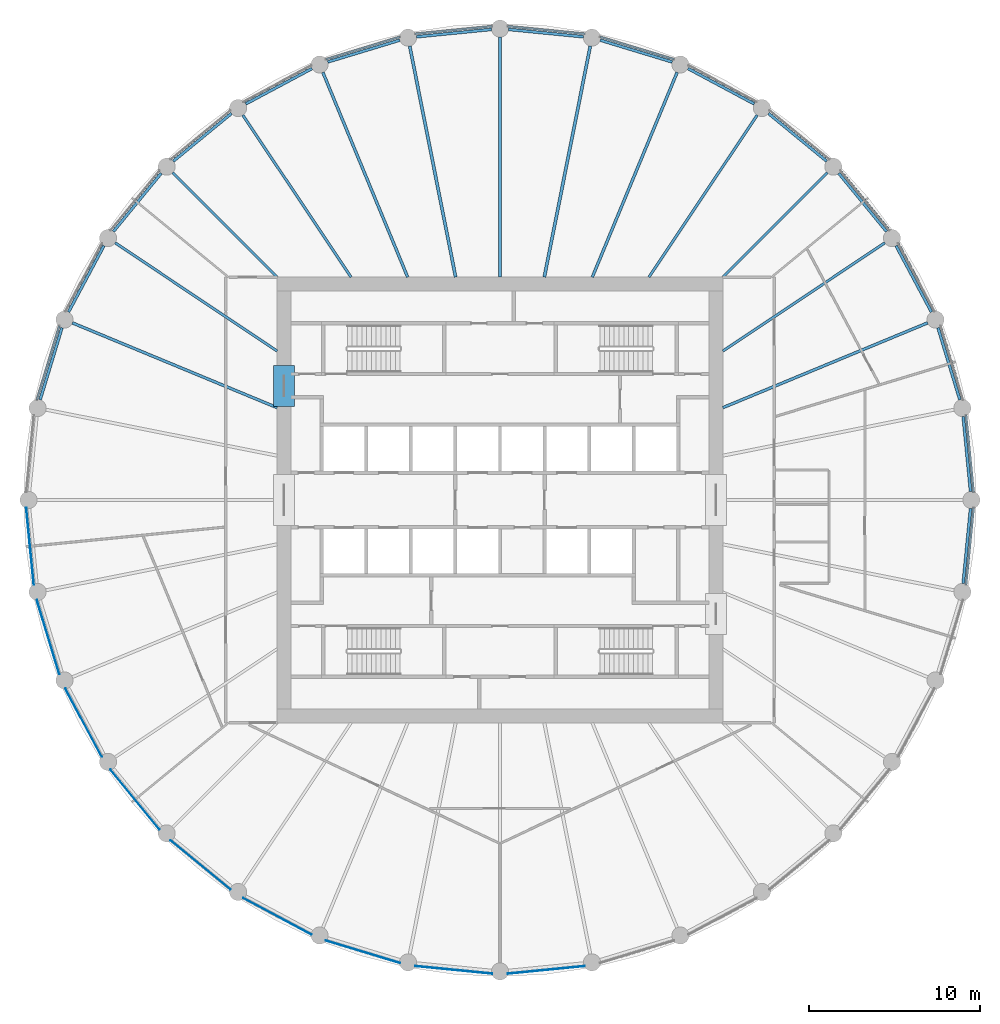
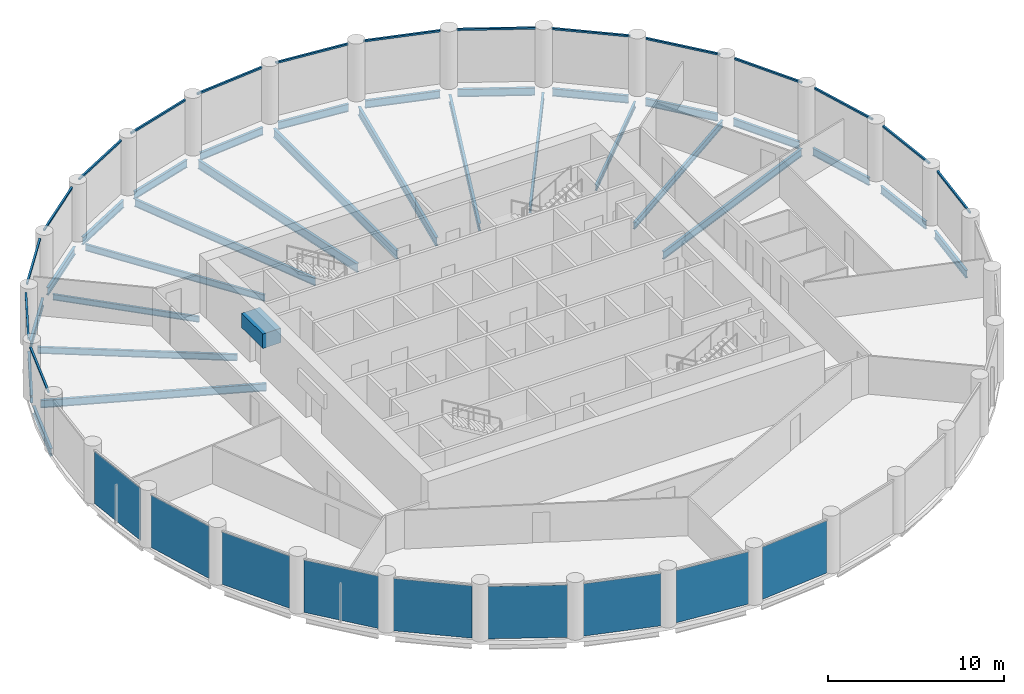
# One storey, part 2 of 8: 30 beams, 16 members, 9 plates, 25 elements without a shape of their own.
"""IFC4 building model written with IfcOpenShell, lengths in metres."""

import ifcopenshell
import ifcopenshell.guid

model = None  # the IFC model being written
_history = None  # IfcOwnerHistory: only IFC2X3 demands one
_inside = {}  # id of a spatial element -> (the spatial element, [elements in it])
_under = {}  # id of a project, library or spatial element -> (it, [spatial elements below it])
_declared = {}  # id of a project -> (the project, [libraries it declares])
_typed = {}  # id of a type object -> (the type object, [elements of that type])
_made_of = {}  # id of a material, layer set ... -> (it, [elements and type objects made of it])


def new_model(schema):
    """Start an empty IFC model of exactly this schema.

    Asked for "IFC4X3", IfcOpenShell would pick the latest addendum, in which some entities
    have other attributes; the version numbers below select the first issue.
    IFC2X3 requires an IfcOwnerHistory on every rooted entity: one is made here for all.
    """
    global model, _history
    if schema == "IFC4X3":
        model = ifcopenshell.file(schema_version=(4, 3, 0, 0))
    else:
        model = ifcopenshell.file(schema=schema)
    _inside.clear()
    _under.clear()
    _declared.clear()
    _typed.clear()
    _made_of.clear()
    _history = None
    if model.schema == "IFC2X3":
        org = make("IfcOrganization", Name="unknown")
        user = make(
            "IfcPersonAndOrganization",
            ThePerson=make("IfcPerson", FamilyName="unknown"),
            TheOrganization=org,
        )
        app = make(
            "IfcApplication",
            ApplicationDeveloper=org,
            Version="unknown",
            ApplicationFullName="unknown",
            ApplicationIdentifier="unknown",
        )
        _history = make(
            "IfcOwnerHistory",
            OwningUser=user,
            OwningApplication=app,
            ChangeAction="ADDED",
            CreationDate=0,
        )
    return model


def make(cls, **values):
    """One entity of the class cls with the attributes given. An attribute that is None is left unset."""
    return model.create_entity(
        cls, **{name: value for name, value in values.items() if value is not None}
    )


def rooted(cls, **values):
    """An entity with a GlobalId (a new one), such as an element, a storey or a relation."""
    return make(cls, GlobalId=ifcopenshell.guid.new(), OwnerHistory=_history, **values)


def si_unit(unit_type, name, prefix=None):
    """IfcSIUnit, for example si_unit("LENGTHUNIT", "METRE", prefix="MILLI")."""
    return make("IfcSIUnit", UnitType=unit_type, Prefix=prefix, Name=name)


def assignment(units):
    """IfcUnitAssignment: the units of a project."""
    return None if units is None else make("IfcUnitAssignment", Units=units)


def point(xyz):
    """IfcCartesianPoint."""
    return None if xyz is None else make("IfcCartesianPoint", Coordinates=xyz)


def direction(xyz):
    """IfcDirection."""
    return None if xyz is None else make("IfcDirection", DirectionRatios=xyz)


def frame(location, z_axis=None, x_axis=None):
    """IfcAxis2Placement3D, a coordinate frame: its origin and axes. An axis left out is left unset."""
    return make(
        "IfcAxis2Placement3D",
        Location=point(location),
        Axis=direction(z_axis),
        RefDirection=direction(x_axis),
    )


def frame_2d(location, x_axis=None):
    """IfcAxis2Placement2D, a coordinate frame in the plane: its origin and x axis."""
    return make(
        "IfcAxis2Placement2D", Location=point(location), RefDirection=direction(x_axis)
    )


def origin():
    """The frame at (0, 0, 0) with its axes left unset."""
    return frame((0.0, 0.0, 0.0))


def origin_2d():
    """The frame at (0, 0) in the plane with its x axis left unset."""
    return frame_2d((0.0, 0.0))


def place(relative_to, where):
    """IfcLocalPlacement: puts the frame where relative to a parent placement (None: the world)."""
    return make(
        "IfcLocalPlacement", PlacementRelTo=relative_to, RelativePlacement=where
    )


def context(
    kind, dimensions, precision=None, world=None, true_north=None, identifier=None
):
    """IfcGeometricRepresentationContext, for example the 3D "Model" context."""
    return make(
        "IfcGeometricRepresentationContext",
        ContextIdentifier=identifier,
        ContextType=kind,
        CoordinateSpaceDimension=dimensions,
        Precision=precision,
        WorldCoordinateSystem=world,
        TrueNorth=true_north,
    )


def subcontext(parent, identifier, kind, view, scale=None):
    """IfcGeometricRepresentationSubContext, for example "Body" below "Model"."""
    return make(
        "IfcGeometricRepresentationSubContext",
        ContextIdentifier=identifier,
        ContextType=kind,
        ParentContext=parent,
        TargetScale=scale,
        TargetView=view,
    )


def project(units=None, contexts=None):
    """IfcProject with its units and contexts."""
    return rooted(
        "IfcProject",
        Name="project",
        RepresentationContexts=contexts,
        UnitsInContext=assignment(units),
    )


def spatial(cls, under=None, at=None, **own):
    """A site, building, storey or space (cls), placed at a placement, below another one or the project."""
    s = rooted(cls, ObjectPlacement=at, **own)
    if under is not None:
        _under.setdefault(under.id(), (under, []))[1].append(s)
    return s


def profile(cls, at=None, kind="AREA", **sizes):
    """A parametric profile (cls). Its sizes go by their IFC names, for example OverallWidth=200.0."""
    return make(cls, ProfileType=kind, Position=at, **sizes)


def rectangle(**sizes):
    """IfcRectangleProfileDef."""
    return profile("IfcRectangleProfileDef", **sizes)


def i_section(**sizes):
    """IfcIShapeProfileDef."""
    return profile("IfcIShapeProfileDef", **sizes)


def extrude(swept, where, along, depth):
    """IfcExtrudedAreaSolid: the profile swept, set in the frame where, extruded along a direction by depth."""
    return make(
        "IfcExtrudedAreaSolid",
        SweptArea=swept,
        Position=where,
        ExtrudedDirection=direction(along),
        Depth=depth,
    )


def shape(context_of_items, identifier, shape_type, items):
    """IfcShapeRepresentation: the items that make up one representation, for example the "Body"."""
    return make(
        "IfcShapeRepresentation",
        ContextOfItems=context_of_items,
        RepresentationIdentifier=identifier,
        RepresentationType=shape_type,
        Items=items,
    )


def material(Name=None, Category=None):
    """IfcMaterial."""
    return make("IfcMaterial", Name=Name, Category=Category)


def layer(
    of_material, thickness, ventilated=None, Name=None, Category=None, Priority=None
):
    """IfcMaterialLayer: one layer of a wall or slab, of a material (None: an air gap)."""
    return make(
        "IfcMaterialLayer",
        Material=of_material,
        LayerThickness=thickness,
        IsVentilated=ventilated,
        Name=Name,
        Category=Category,
        Priority=Priority,
    )


def layer_set(layers, Name=None):
    """IfcMaterialLayerSet."""
    return make("IfcMaterialLayerSet", MaterialLayers=layers, LayerSetName=Name)


def material_profile(
    of_material, cross_section, Name=None, Category=None, Priority=None
):
    """IfcMaterialProfile: a cross section and its material."""
    return make(
        "IfcMaterialProfile",
        Name=Name,
        Material=of_material,
        Profile=cross_section,
        Priority=Priority,
        Category=Category,
    )


def profile_set(profiles, Name=None, composite=None):
    """IfcMaterialProfileSet."""
    return make(
        "IfcMaterialProfileSet",
        Name=Name,
        MaterialProfiles=profiles,
        CompositeProfile=composite,
    )


def made_of(thing, what):
    """Note that an element or type object is made of a material, layer set ...; save() writes the relation."""
    if what is not None:
        _made_of.setdefault(what.id(), (what, []))[1].append(thing)
    return thing


def type_object(cls, material=None, **own):
    """A type object (cls), such as IfcWallType, which elements share."""
    return made_of(rooted(cls, **own), material)


def element(
    cls,
    number,
    at=None,
    inside=None,
    cuts=None,
    type_object=None,
    material=None,
    context=None,
    identifier="Body",
    shape_type=None,
    held_by="IfcProductDefinitionShape",
    body=None,
    shapes=None,
    **own,
):
    """One element of the class cls, such as IfcWall. Its Tag is "e" and its number.

    at: its placement. inside: the storey or other place that contains it. cuts: it is an
    opening in that element (IfcRelVoidsElement). A single representation is given by context,
    identifier, shape_type and body (its items); several are given by shapes. held_by: the class
    of the entity that holds the representations. save() writes the other relations.
    """
    e = rooted(cls, Tag="e%d" % number, ObjectPlacement=at, **own)
    if body is not None:
        shapes = [shape(context, identifier, shape_type, body)]
    if shapes is not None:
        e.Representation = make(held_by, Representations=shapes)
    if inside is not None:
        _inside.setdefault(inside.id(), (inside, []))[1].append(e)
    if cuts is not None:
        rooted(
            "IfcRelVoidsElement", RelatingBuildingElement=cuts, RelatedOpeningElement=e
        )
    if type_object is not None:
        _typed.setdefault(type_object.id(), (type_object, []))[1].append(e)
    return made_of(e, material)


def aggregate(whole, parts):
    """IfcRelAggregates: a whole, such as a stair, and the parts it consists of."""
    return rooted("IfcRelAggregates", RelatingObject=whole, RelatedObjects=parts)


def save(model, path):
    """Write the relations noted so far, then the file.

    IfcRelAggregates (storeys below a building ...), IfcRelContainedInSpatialStructure (elements
    in a storey), IfcRelDefinesByType, IfcRelAssociatesMaterial and IfcRelDeclares: one each for
    every whole, place, type object, material and project.
    """
    for whole, parts in _under.values():
        aggregate(whole, parts)
    for where, things in _inside.values():
        rooted(
            "IfcRelContainedInSpatialStructure",
            RelatedElements=things,
            RelatingStructure=where,
        )
    for kind, things in _typed.values():
        rooted("IfcRelDefinesByType", RelatedObjects=things, RelatingType=kind)
    for what, things in _made_of.values():
        rooted("IfcRelAssociatesMaterial", RelatedObjects=things, RelatingMaterial=what)
    for by, libraries in _declared.values():
        rooted("IfcRelDeclares", RelatingContext=by, RelatedDefinitions=libraries)
    model.write(path)


model = new_model("IFC4")

# Units and contexts
model_context = context("Model", 3, precision=1e-05, world=origin(), true_north=direction((0.0, 1.0)))
body_context = subcontext(model_context, "Body", "Model", "MODEL_VIEW")
ifc_project = project(units=[si_unit("LENGTHUNIT", "METRE"), si_unit("AREAUNIT", "SQUARE_METRE"), si_unit("VOLUMEUNIT", "CUBIC_METRE"), si_unit("PLANEANGLEUNIT", "RADIAN"), si_unit("MASSUNIT", "GRAM", prefix="KILO")], contexts=[model_context])

# Site, building, storey
site_placement = place(None, origin())
site = spatial("IfcSite", under=ifc_project, at=site_placement, CompositionType="ELEMENT")
building_placement = place(site_placement, origin())
building = spatial("IfcBuilding", under=site, at=building_placement, Name="Corvane Civic Tower", CompositionType="ELEMENT")
storey_placement = place(building_placement, frame((0.0, 0.0, 253.5)))
storey = spatial("IfcBuildingStorey", under=building, at=storey_placement, Name="L60", CompositionType="ELEMENT", Elevation=253.5)

# Beams
ifc_material_1 = material(Name="Concrete C50/60", Category="concrete")
ifc_material_profile_1 = material_profile(ifc_material_1, rectangle(XDim=1.199951171875, YDim=1.0, at=origin_2d()), Name="COUPLING BEAM 1200X1000")
ifc_profile_set_1 = profile_set([ifc_material_profile_1], Name="Concrete C50/60")
beam_type_1 = type_object("IfcBeamType", Name="COUPLING BEAM COUPLING BEAM 1200X1000", PredefinedType="BEAM", material=ifc_profile_set_1)
beam_1_placement = place(storey_placement, frame((-12.60009765625, 5.449951171875, 2.60009765625), z_axis=(0.0, 1.0, 0.0), x_axis=(-1.0, 0.0, 0.0)))
element("IfcBeam", 1, at=beam_1_placement, inside=storey, type_object=beam_type_1, Name="BM-L60-cpl-CW-WN", PredefinedType="BEAM", context=body_context, shape_type="SweptSolid", body=[
    extrude(rectangle(XDim=1.199951171875, YDim=1.0, at=origin_2d()), origin(), (0.0, 0.0, 1.0), 2.400146484375),
])
ifc_material_2 = material(Name="Steel ASTM A992 Gr 50", Category="steel")
ifc_material_profile_2 = material_profile(ifc_material_2, i_section(OverallWidth=0.165771484375, OverallDepth=0.5283203125, WebThickness=0.009765625, FlangeThickness=0.013671875, at=origin_2d()), Name="W21X50")
ifc_profile_set_2 = profile_set([ifc_material_profile_2], Name="Steel ASTM A992 Gr 50")
beam_type_2 = type_object("IfcBeamType", Name="EDGE BEAM W21X50", PredefinedType="BEAM", material=ifc_profile_set_2)
beam_2_placement = place(storey_placement, frame((0.49755859375, 27.450927734375, -0.564208984375), z_axis=(0.995189593769, -0.097967711281, 0.0), x_axis=(0.097967711281, 0.995189593769, 0.0)))
element("IfcBeam", 2, at=beam_2_placement, inside=storey, type_object=beam_type_2, Name="BM-L60-E01", PredefinedType="BEAM", context=body_context, shape_type="SweptSolid", body=[
    extrude(i_section(OverallWidth=0.165771484375, OverallDepth=0.5283203125, WebThickness=0.009765625, FlangeThickness=0.013671875, at=origin_2d()), origin(), (0.0, 0.0, 1.0), 4.39111328125),
])
beam_3_placement = place(storey_placement, frame((5.843505859375, 26.826416015625, -0.564208984375), z_axis=(0.956949547653, -0.290254307888, 0.0), x_axis=(0.290254307888, 0.956949547653, 0.0)))
element("IfcBeam", 3, at=beam_3_placement, inside=storey, type_object=beam_type_2, Name="BM-L60-E02", PredefinedType="BEAM", context=body_context, shape_type="SweptSolid", body=[
    extrude(i_section(OverallWidth=0.165771484375, OverallDepth=0.5283203125, WebThickness=0.009765625, FlangeThickness=0.013671875, at=origin_2d()), origin(), (0.0, 0.0, 1.0), 4.390625),
])
for number, where, z_axis, x_axis, name in (
    (4, (10.964599609375, 25.171142578125, -0.564208984375), (0.881907756852, -0.471422006704, 0.0), (0.471422006704, 0.881907756852, 0.0), "BM-L60-E03"),
    (5, (15.66455078125, 22.54833984375, -0.564208984375), (0.773030026524, -0.634369433447, 0.0), (0.634369433447, 0.773030026524, 0.0), "BM-L60-E04"),
    (6, (19.7626953125, 19.05908203125, -0.564208984375), (0.634369433447, -0.773030026524, 0.0), (0.773030026524, 0.634369433447, 0.0), "BM-L60-E05"),
    (7, (23.10107421875, 14.837158203125, -0.564208984375), (0.471422006704, -0.881907756852, 0.0), (0.881907756852, 0.471422006704, 0.0), "BM-L60-E06"),
):
    element("IfcBeam", number, at=place(storey_placement, frame(where, z_axis=z_axis, x_axis=x_axis)), inside=storey, type_object=beam_type_2, Name=name, PredefinedType="BEAM", context=body_context, shape_type="SweptSolid", body=[
        extrude(i_section(OverallWidth=0.165771484375, OverallDepth=0.5283203125, WebThickness=0.009765625, FlangeThickness=0.013671875, at=origin_2d()), origin(), (0.0, 0.0, 1.0), 4.39111328125),
    ])
beam_4_placement = place(storey_placement, frame((25.552001953125, 10.045166015625, -0.564208984375), z_axis=(0.290254307888, -0.956949547653, 0.0), x_axis=(0.956949547653, 0.290254307888, 0.0)))
element("IfcBeam", 8, at=beam_4_placement, inside=storey, type_object=beam_type_2, Name="BM-L60-E07", PredefinedType="BEAM", context=body_context, shape_type="SweptSolid", body=[
    extrude(i_section(OverallWidth=0.165771484375, OverallDepth=0.5283203125, WebThickness=0.009765625, FlangeThickness=0.013671875, at=origin_2d()), origin(), (0.0, 0.0, 1.0), 4.390625),
])
for number, where, z_axis, x_axis, name in (
    (9, (27.020751953125, 4.867431640625, -0.564208984375), (0.097967711281, -0.995189593769, 0.0), (0.995189593769, 0.097967711281, 0.0), "BM-L60-E08"),
    (10, (27.450927734375, -0.49755859375, -0.564208984375), (-0.097967711281, -0.995189593769, 0.0), (0.995189593769, -0.097967711281, 0.0), "BM-L60-E09"),
):
    element("IfcBeam", number, at=place(storey_placement, frame(where, z_axis=z_axis, x_axis=x_axis)), inside=storey, type_object=beam_type_2, Name=name, PredefinedType="BEAM", context=body_context, shape_type="SweptSolid", body=[
        extrude(i_section(OverallWidth=0.165771484375, OverallDepth=0.5283203125, WebThickness=0.009765625, FlangeThickness=0.013671875, at=origin_2d()), origin(), (0.0, 0.0, 1.0), 4.39111328125),
    ])
beam_5_placement = place(storey_placement, frame((-26.826416015625, 5.843505859375, -0.564208984375), z_axis=(0.290254307888, 0.956949547653, 0.0), x_axis=(-0.956949547653, 0.290254307888, 0.0)))
element("IfcBeam", 11, at=beam_5_placement, inside=storey, type_object=beam_type_2, Name="BM-L60-E26", PredefinedType="BEAM", context=body_context, shape_type="SweptSolid", body=[
    extrude(i_section(OverallWidth=0.165771484375, OverallDepth=0.5283203125, WebThickness=0.009765625, FlangeThickness=0.013671875, at=origin_2d()), origin(), (0.0, 0.0, 1.0), 4.390625),
])
for number, where, z_axis, x_axis, name in (
    (12, (-25.171142578125, 10.964599609375, -0.564208984375), (0.471422006704, 0.881907756852, 0.0), (-0.881907756852, 0.471422006704, 0.0), "BM-L60-E27"),
    (13, (-22.54833984375, 15.66455078125, -0.564208984375), (0.634369433447, 0.773030026524, 0.0), (-0.773030026524, 0.634369433447, 0.0), "BM-L60-E28"),
    (14, (-19.05908203125, 19.7626953125, -0.564208984375), (0.773030026524, 0.634369433447, 0.0), (-0.634369433447, 0.773030026524, 0.0), "BM-L60-E29"),
    (15, (-14.837158203125, 23.10107421875, -0.564208984375), (0.881907756852, 0.471422006704, 0.0), (-0.471422006704, 0.881907756852, 0.0), "BM-L60-E30"),
):
    element("IfcBeam", number, at=place(storey_placement, frame(where, z_axis=z_axis, x_axis=x_axis)), inside=storey, type_object=beam_type_2, Name=name, PredefinedType="BEAM", context=body_context, shape_type="SweptSolid", body=[
        extrude(i_section(OverallWidth=0.165771484375, OverallDepth=0.5283203125, WebThickness=0.009765625, FlangeThickness=0.013671875, at=origin_2d()), origin(), (0.0, 0.0, 1.0), 4.39111328125),
    ])
beam_6_placement = place(storey_placement, frame((-10.045166015625, 25.552001953125, -0.564208984375), z_axis=(0.956949547653, 0.290254307888, 0.0), x_axis=(-0.290254307888, 0.956949547653, 0.0)))
element("IfcBeam", 16, at=beam_6_placement, inside=storey, type_object=beam_type_2, Name="BM-L60-E31", PredefinedType="BEAM", context=body_context, shape_type="SweptSolid", body=[
    extrude(i_section(OverallWidth=0.165771484375, OverallDepth=0.5283203125, WebThickness=0.009765625, FlangeThickness=0.013671875, at=origin_2d()), origin(), (0.0, 0.0, 1.0), 4.390625),
])
beam_7_placement = place(storey_placement, frame((-4.867431640625, 27.020751953125, -0.564208984375), z_axis=(0.995189593769, 0.097967711281, 0.0), x_axis=(-0.097967711281, 0.995189593769, 0.0)))
element("IfcBeam", 17, at=beam_7_placement, inside=storey, type_object=beam_type_2, Name="BM-L60-E32", PredefinedType="BEAM", context=body_context, shape_type="SweptSolid", body=[
    extrude(i_section(OverallWidth=0.165771484375, OverallDepth=0.5283203125, WebThickness=0.009765625, FlangeThickness=0.013671875, at=origin_2d()), origin(), (0.0, 0.0, 1.0), 4.39111328125),
])
ifc_material_3 = material(Name="Steel ASTM A992 Gr 50", Category="steel")
ifc_material_profile_3 = material_profile(ifc_material_3, i_section(OverallWidth=0.140380859375, OverallDepth=0.40380859375, WebThickness=0.007080078125, FlangeThickness=0.01123046875, at=origin_2d()), Name="W16X31")
ifc_profile_set_3 = profile_set([ifc_material_profile_3], Name="Steel ASTM A992 Gr 50")
beam_type_3 = type_object("IfcBeamType", Name="FLOOR GIRDER W16X31", PredefinedType="BEAM", material=ifc_profile_set_3)
for number, where, z_axis, x_axis, name in (
    (18, (13.0, 13.0, -0.501953125), (0.707106781187, 0.707106781187, 0.0), (-0.707106781187, 0.707106781187, 0.0), "BM-L60-G05"),
    (19, (-13.0, 13.0, -0.501953125), (-0.707106781187, 0.707106781187, 0.0), (-0.707106781187, -0.707106781187, 0.0), "BM-L60-G29"),
):
    element("IfcBeam", number, at=place(storey_placement, frame(where, z_axis=z_axis, x_axis=x_axis)), inside=storey, type_object=beam_type_3, Name=name, PredefinedType="BEAM", context=body_context, shape_type="SweptSolid", body=[
        extrude(i_section(OverallWidth=0.140380859375, OverallDepth=0.40380859375, WebThickness=0.007080078125, FlangeThickness=0.01123046875, at=origin_2d()), origin(), (0.0, 0.0, 1.0), 8.614990234375),
    ])
ifc_material_4 = material(Name="Steel ASTM A992 Gr 50", Category="steel")
ifc_material_profile_4 = material_profile(ifc_material_4, i_section(OverallWidth=0.15283203125, OverallDepth=0.45458984375, WebThickness=0.008056640625, FlangeThickness=0.013427734375, at=origin_2d()), Name="W18X40")
ifc_profile_set_4 = profile_set([ifc_material_profile_4], Name="Steel ASTM A992 Gr 50")
beam_type_4 = type_object("IfcBeamType", Name="FLOOR GIRDER W18X40", PredefinedType="BEAM", material=ifc_profile_set_4)
for number, where, z_axis, x_axis, name in (
    (20, (8.686279296875, 13.0, -0.52734375), (0.555577326485, 0.831464872557, 0.0), (-0.831464872557, 0.555577326485, 0.0), "BM-L60-G04"),
    (21, (13.0, 8.686279296875, -0.52734375), (0.831464872557, 0.555577326485, 0.0), (-0.555577326485, 0.831464872557, 0.0), "BM-L60-G06"),
    (22, (-13.0, 8.686279296875, -0.52734375), (-0.831464872557, 0.555577326485, 0.0), (-0.555577326485, -0.831464872557, 0.0), "BM-L60-G28"),
    (23, (-8.686279296875, 13.0, -0.52734375), (-0.555577326485, 0.831464872557, 0.0), (-0.831464872557, -0.555577326485, 0.0), "BM-L60-G30"),
):
    element("IfcBeam", number, at=place(storey_placement, frame(where, z_axis=z_axis, x_axis=x_axis)), inside=storey, type_object=beam_type_4, Name=name, PredefinedType="BEAM", context=body_context, shape_type="SweptSolid", body=[
        extrude(i_section(OverallWidth=0.15283203125, OverallDepth=0.45458984375, WebThickness=0.008056640625, FlangeThickness=0.013427734375, at=origin_2d()), origin(), (0.0, 0.0, 1.0), 11.365234375),
    ])
ifc_material_5 = material(Name="Steel ASTM A992 Gr 50", Category="steel")
ifc_material_profile_5 = material_profile(ifc_material_5, i_section(OverallWidth=0.165771484375, OverallDepth=0.5283203125, WebThickness=0.009765625, FlangeThickness=0.013671875, at=origin_2d()), Name="W21X50")
ifc_profile_set_5 = profile_set([ifc_material_profile_5], Name="Steel ASTM A992 Gr 50")
beam_type_5 = type_object("IfcBeamType", Name="FLOOR GIRDER W21X50", PredefinedType="BEAM", material=ifc_profile_set_5)
for number, where, z_axis, x_axis, name in (
    (24, (5.384765625, 13.0, -0.564208984375), (0.382686450378, 0.923878282404, 0.0), (-0.923878282404, 0.382686450378, 0.0), "BM-L60-G03"),
    (25, (13.0, 5.384765625, -0.564208984375), (0.923878282404, 0.382686450378, 0.0), (-0.382686450378, 0.923878282404, 0.0), "BM-L60-G07"),
    (26, (-13.0, 5.384765625, -0.564208984375), (-0.923878282404, 0.382686450378, 0.0), (-0.382686450378, -0.923878282404, 0.0), "BM-L60-G27"),
    (27, (-5.384765625, 13.0, -0.564208984375), (-0.382686450378, 0.923878282404, 0.0), (-0.923878282404, -0.382686450378, 0.0), "BM-L60-G31"),
):
    element("IfcBeam", number, at=place(storey_placement, frame(where, z_axis=z_axis, x_axis=x_axis)), inside=storey, type_object=beam_type_5, Name=name, PredefinedType="BEAM", context=body_context, shape_type="SweptSolid", body=[
        extrude(i_section(OverallWidth=0.165771484375, OverallDepth=0.5283203125, WebThickness=0.009765625, FlangeThickness=0.013671875, at=origin_2d()), origin(), (0.0, 0.0, 1.0), 12.928955078125),
    ])
ifc_material_6 = material(Name="Steel ASTM A992 Gr 50", Category="steel")
ifc_material_profile_6 = material_profile(ifc_material_6, i_section(OverallWidth=0.177978515625, OverallDepth=0.599365234375, WebThickness=0.010009765625, FlangeThickness=0.012939453125, at=origin_2d()), Name="W24X55")
ifc_profile_set_6 = profile_set([ifc_material_profile_6], Name="Steel ASTM A992 Gr 50")
beam_type_6 = type_object("IfcBeamType", Name="FLOOR GIRDER W24X55", PredefinedType="BEAM", material=ifc_profile_set_6)
beam_8_placement = place(storey_placement, frame((0.0, 13.0, -0.599609375), z_axis=(0.0, 1.0, 0.0), x_axis=(-1.0, 0.0, 0.0)))
element("IfcBeam", 28, at=beam_8_placement, inside=storey, type_object=beam_type_6, Name="BM-L60-G01", PredefinedType="BEAM", context=body_context, shape_type="SweptSolid", body=[
    extrude(i_section(OverallWidth=0.177978515625, OverallDepth=0.599365234375, WebThickness=0.010009765625, FlangeThickness=0.012939453125, at=origin_2d()), origin(), (0.0, 0.0, 1.0), 14.0),
])
for number, where, z_axis, x_axis, name in (
    (29, (2.5859375, 13.0, -0.599609375), (0.195077644118, 0.980787802109, 0.0), (-0.980787802109, 0.195077644118, 0.0), "BM-L60-G02"),
    (30, (-2.5859375, 13.0, -0.599609375), (-0.195077644118, 0.980787802109, 0.0), (-0.980787802109, -0.195077644118, 0.0), "BM-L60-G32"),
):
    element("IfcBeam", number, at=place(storey_placement, frame(where, z_axis=z_axis, x_axis=x_axis)), inside=storey, type_object=beam_type_6, Name=name, PredefinedType="BEAM", context=body_context, shape_type="SweptSolid", body=[
        extrude(i_section(OverallWidth=0.177978515625, OverallDepth=0.599365234375, WebThickness=0.010009765625, FlangeThickness=0.012939453125, at=origin_2d()), origin(), (0.0, 0.0, 1.0), 13.745361328125),
    ])

# Curtain wall, member
ifc_material_7 = material(Name="Anodised aluminium bronze", Category="aluminium")
curtain_wall_type = type_object("IfcCurtainWallType", Name="TOWER CW-T2 STICK CURTAIN WALL", PredefinedType="NOTDEFINED", material=ifc_material_7)
curtain_wall_1_placement = place(storey_placement, origin())
curtain_wall_1 = element("IfcCurtainWall", 31, at=curtain_wall_1_placement, inside=storey, type_object=curtain_wall_type, Name="Curtain wall CW-T2 L60 bay 01", PredefinedType="NOTDEFINED")
ifc_material_8 = material(Name="Anodised aluminium bronze", Category="aluminium")
ifc_material_profile_7 = material_profile(ifc_material_8, rectangle(XDim=0.1201171875, YDim=0.1201171875, at=origin_2d()), Name="TOWER CW-T2 TRANSOM 120x120")
ifc_profile_set_7 = profile_set([ifc_material_profile_7], Name="Anodised aluminium bronze")
member_type = type_object("IfcMemberType", Name="TOWER CW-T2 TRANSOM 120x120", PredefinedType="USERDEFINED", material=ifc_profile_set_7)
member_1_placement = place(storey_placement, frame((0.452392578125, 27.635498046875, 3.68994140625), z_axis=(0.995182207386, -0.098042715701, 0.0), x_axis=(0.098042715701, 0.995182207386, 0.0)))
member_1 = element("IfcMember", 32, at=member_1_placement, type_object=member_type, Name="Transom CW-T2 L60 01.1", ObjectType="TRANSOM", PredefinedType="USERDEFINED", context=body_context, shape_type="SweptSolid", body=[
    extrude(rectangle(XDim=0.1201171875, YDim=0.1201171875, at=origin_2d()), origin(), (0.0, 0.0, 1.0), 4.51708984375),
])
aggregate(curtain_wall_1, [member_1])

curtain_wall_2_placement = place(storey_placement, origin())
curtain_wall_2 = element("IfcCurtainWall", 33, at=curtain_wall_2_placement, inside=storey, type_object=curtain_wall_type, Name="Curtain wall CW-T2 L60 bay 02", PredefinedType="NOTDEFINED")
member_2_placement = place(storey_placement, frame((5.8349609375, 27.016357421875, 3.68994140625), z_axis=(0.956941182173, -0.2902818869, 0.0), x_axis=(0.2902818869, 0.956941182173, 0.0)))
member_2 = element("IfcMember", 34, at=member_2_placement, type_object=member_type, Name="Transom CW-T2 L60 02.1", ObjectType="TRANSOM", PredefinedType="USERDEFINED", context=body_context, shape_type="SweptSolid", body=[
    extrude(rectangle(XDim=0.1201171875, YDim=0.1201171875, at=origin_2d()), origin(), (0.0, 0.0, 1.0), 4.517333984375),
])
aggregate(curtain_wall_2, [member_2])

curtain_wall_3_placement = place(storey_placement, origin())
curtain_wall_3 = element("IfcCurtainWall", 35, at=curtain_wall_3_placement, inside=storey, type_object=curtain_wall_type, Name="Curtain wall CW-T2 L60 bay 03", PredefinedType="NOTDEFINED")
member_3_placement = place(storey_placement, frame((10.993408203125, 25.35888671875, 3.68994140625), z_axis=(0.881924695689, -0.471390317183, 0.0), x_axis=(0.471390317183, 0.881924695689, 0.0)))
member_3 = element("IfcMember", 36, at=member_3_placement, type_object=member_type, Name="Transom CW-T2 L60 03.1", ObjectType="TRANSOM", PredefinedType="USERDEFINED", context=body_context, shape_type="SweptSolid", body=[
    extrude(rectangle(XDim=0.1201171875, YDim=0.1201171875, at=origin_2d()), origin(), (0.0, 0.0, 1.0), 4.517333984375),
])
aggregate(curtain_wall_3, [member_3])

curtain_wall_4_placement = place(storey_placement, origin())
curtain_wall_4 = element("IfcCurtainWall", 37, at=curtain_wall_4_placement, inside=storey, type_object=curtain_wall_type, Name="Curtain wall CW-T2 L60 bay 04", PredefinedType="NOTDEFINED")
member_4_placement = place(storey_placement, frame((15.7294921875, 22.726806640625, 3.68994140625), z_axis=(0.773014925698, -0.634387834569, 0.0), x_axis=(0.634387834569, 0.773014925698, 0.0)))
member_4 = element("IfcMember", 38, at=member_4_placement, type_object=member_type, Name="Transom CW-T2 L60 04.1", ObjectType="TRANSOM", PredefinedType="USERDEFINED", context=body_context, shape_type="SweptSolid", body=[
    extrude(rectangle(XDim=0.1201171875, YDim=0.1201171875, at=origin_2d()), origin(), (0.0, 0.0, 1.0), 4.517333984375),
])
aggregate(curtain_wall_4, [member_4])

curtain_wall_5_placement = place(storey_placement, origin())
curtain_wall_5 = element("IfcCurtainWall", 39, at=curtain_wall_5_placement, inside=storey, type_object=curtain_wall_type, Name="Curtain wall CW-T2 L60 bay 05", PredefinedType="NOTDEFINED")
member_5_placement = place(storey_placement, frame((19.861083984375, 19.221435546875, 3.68994140625), z_axis=(0.634387834569, -0.773014925698, 0.0), x_axis=(0.773014925698, 0.634387834569, 0.0)))
member_5 = element("IfcMember", 40, at=member_5_placement, type_object=member_type, Name="Transom CW-T2 L60 05.1", ObjectType="TRANSOM", PredefinedType="USERDEFINED", context=body_context, shape_type="SweptSolid", body=[
    extrude(rectangle(XDim=0.1201171875, YDim=0.1201171875, at=origin_2d()), origin(), (0.0, 0.0, 1.0), 4.517333984375),
])
aggregate(curtain_wall_5, [member_5])

curtain_wall_6_placement = place(storey_placement, origin())
curtain_wall_6 = element("IfcCurtainWall", 41, at=curtain_wall_6_placement, inside=storey, type_object=curtain_wall_type, Name="Curtain wall CW-T2 L60 bay 06", PredefinedType="NOTDEFINED")
member_6_placement = place(storey_placement, frame((23.2294921875, 14.977294921875, 3.68994140625), z_axis=(0.471390317183, -0.881924695689, 0.0), x_axis=(0.881924695689, 0.471390317183, 0.0)))
member_6 = element("IfcMember", 42, at=member_6_placement, type_object=member_type, Name="Transom CW-T2 L60 06.1", ObjectType="TRANSOM", PredefinedType="USERDEFINED", context=body_context, shape_type="SweptSolid", body=[
    extrude(rectangle(XDim=0.1201171875, YDim=0.1201171875, at=origin_2d()), origin(), (0.0, 0.0, 1.0), 4.517333984375),
])
aggregate(curtain_wall_6, [member_6])

curtain_wall_7_placement = place(storey_placement, origin())
curtain_wall_7 = element("IfcCurtainWall", 43, at=curtain_wall_7_placement, inside=storey, type_object=curtain_wall_type, Name="Curtain wall CW-T2 L60 bay 07", PredefinedType="NOTDEFINED")
member_7_placement = place(storey_placement, frame((25.705078125, 10.15771484375, 3.68994140625), z_axis=(0.2902818869, -0.956941182173, 0.0), x_axis=(0.956941182173, 0.2902818869, 0.0)))
member_7 = element("IfcMember", 44, at=member_7_placement, type_object=member_type, Name="Transom CW-T2 L60 07.1", ObjectType="TRANSOM", PredefinedType="USERDEFINED", context=body_context, shape_type="SweptSolid", body=[
    extrude(rectangle(XDim=0.1201171875, YDim=0.1201171875, at=origin_2d()), origin(), (0.0, 0.0, 1.0), 4.517333984375),
])
aggregate(curtain_wall_7, [member_7])

curtain_wall_8_placement = place(storey_placement, origin())
curtain_wall_8 = element("IfcCurtainWall", 45, at=curtain_wall_8_placement, inside=storey, type_object=curtain_wall_type, Name="Curtain wall CW-T2 L60 bay 08", PredefinedType="NOTDEFINED")
member_8_placement = place(storey_placement, frame((27.192626953125, 4.94775390625, 3.68994140625), z_axis=(0.098042715701, -0.995182207386, 0.0), x_axis=(0.995182207386, 0.098042715701, 0.0)))
member_8 = element("IfcMember", 46, at=member_8_placement, type_object=member_type, Name="Transom CW-T2 L60 08.1", ObjectType="TRANSOM", PredefinedType="USERDEFINED", context=body_context, shape_type="SweptSolid", body=[
    extrude(rectangle(XDim=0.1201171875, YDim=0.1201171875, at=origin_2d()), origin(), (0.0, 0.0, 1.0), 4.51708984375),
])
aggregate(curtain_wall_8, [member_8])

curtain_wall_9_placement = place(storey_placement, origin())
curtain_wall_9 = element("IfcCurtainWall", 47, at=curtain_wall_9_placement, inside=storey, type_object=curtain_wall_type, Name="Curtain wall CW-T2 L60 bay 09", PredefinedType="NOTDEFINED")
member_9_placement = place(storey_placement, frame((27.635498046875, -0.452392578125, 3.68994140625), z_axis=(-0.098042715701, -0.995182207386, 0.0), x_axis=(0.995182207386, -0.098042715701, 0.0)))
member_9 = element("IfcMember", 48, at=member_9_placement, type_object=member_type, Name="Transom CW-T2 L60 09.1", ObjectType="TRANSOM", PredefinedType="USERDEFINED", context=body_context, shape_type="SweptSolid", body=[
    extrude(rectangle(XDim=0.1201171875, YDim=0.1201171875, at=origin_2d()), origin(), (0.0, 0.0, 1.0), 4.51708984375),
])
aggregate(curtain_wall_9, [member_9])

curtain_wall_10_placement = place(storey_placement, origin())
curtain_wall_10 = element("IfcCurtainWall", 49, at=curtain_wall_10_placement, inside=storey, type_object=curtain_wall_type, Name="Curtain wall CW-T2 L60 bay 26", PredefinedType="NOTDEFINED")
member_10_placement = place(storey_placement, frame((-27.016357421875, 5.8349609375, 3.68994140625), z_axis=(0.2902818869, 0.956941182173, 0.0), x_axis=(-0.956941182173, 0.2902818869, 0.0)))
member_10 = element("IfcMember", 50, at=member_10_placement, type_object=member_type, Name="Transom CW-T2 L60 26.1", ObjectType="TRANSOM", PredefinedType="USERDEFINED", context=body_context, shape_type="SweptSolid", body=[
    extrude(rectangle(XDim=0.1201171875, YDim=0.1201171875, at=origin_2d()), origin(), (0.0, 0.0, 1.0), 4.517333984375),
])
aggregate(curtain_wall_10, [member_10])

curtain_wall_11_placement = place(storey_placement, origin())
curtain_wall_11 = element("IfcCurtainWall", 51, at=curtain_wall_11_placement, inside=storey, type_object=curtain_wall_type, Name="Curtain wall CW-T2 L60 bay 27", PredefinedType="NOTDEFINED")
member_11_placement = place(storey_placement, frame((-25.35888671875, 10.993408203125, 3.68994140625), z_axis=(0.471390317183, 0.881924695689, 0.0), x_axis=(-0.881924695689, 0.471390317183, 0.0)))
member_11 = element("IfcMember", 52, at=member_11_placement, type_object=member_type, Name="Transom CW-T2 L60 27.1", ObjectType="TRANSOM", PredefinedType="USERDEFINED", context=body_context, shape_type="SweptSolid", body=[
    extrude(rectangle(XDim=0.1201171875, YDim=0.1201171875, at=origin_2d()), origin(), (0.0, 0.0, 1.0), 4.517333984375),
])
aggregate(curtain_wall_11, [member_11])

curtain_wall_12_placement = place(storey_placement, origin())
curtain_wall_12 = element("IfcCurtainWall", 53, at=curtain_wall_12_placement, inside=storey, type_object=curtain_wall_type, Name="Curtain wall CW-T2 L60 bay 28", PredefinedType="NOTDEFINED")
member_12_placement = place(storey_placement, frame((-22.726806640625, 15.7294921875, 3.68994140625), z_axis=(0.634387834569, 0.773014925698, 0.0), x_axis=(-0.773014925698, 0.634387834569, 0.0)))
member_12 = element("IfcMember", 54, at=member_12_placement, type_object=member_type, Name="Transom CW-T2 L60 28.1", ObjectType="TRANSOM", PredefinedType="USERDEFINED", context=body_context, shape_type="SweptSolid", body=[
    extrude(rectangle(XDim=0.1201171875, YDim=0.1201171875, at=origin_2d()), origin(), (0.0, 0.0, 1.0), 4.517333984375),
])
aggregate(curtain_wall_12, [member_12])

curtain_wall_13_placement = place(storey_placement, origin())
curtain_wall_13 = element("IfcCurtainWall", 55, at=curtain_wall_13_placement, inside=storey, type_object=curtain_wall_type, Name="Curtain wall CW-T2 L60 bay 29", PredefinedType="NOTDEFINED")
member_13_placement = place(storey_placement, frame((-19.221435546875, 19.861083984375, 3.68994140625), z_axis=(0.773014925698, 0.634387834569, 0.0), x_axis=(-0.634387834569, 0.773014925698, 0.0)))
member_13 = element("IfcMember", 56, at=member_13_placement, type_object=member_type, Name="Transom CW-T2 L60 29.1", ObjectType="TRANSOM", PredefinedType="USERDEFINED", context=body_context, shape_type="SweptSolid", body=[
    extrude(rectangle(XDim=0.1201171875, YDim=0.1201171875, at=origin_2d()), origin(), (0.0, 0.0, 1.0), 4.517333984375),
])
aggregate(curtain_wall_13, [member_13])

curtain_wall_14_placement = place(storey_placement, origin())
curtain_wall_14 = element("IfcCurtainWall", 57, at=curtain_wall_14_placement, inside=storey, type_object=curtain_wall_type, Name="Curtain wall CW-T2 L60 bay 30", PredefinedType="NOTDEFINED")
member_14_placement = place(storey_placement, frame((-14.977294921875, 23.2294921875, 3.68994140625), z_axis=(0.881924695689, 0.471390317183, 0.0), x_axis=(-0.471390317183, 0.881924695689, 0.0)))
member_14 = element("IfcMember", 58, at=member_14_placement, type_object=member_type, Name="Transom CW-T2 L60 30.1", ObjectType="TRANSOM", PredefinedType="USERDEFINED", context=body_context, shape_type="SweptSolid", body=[
    extrude(rectangle(XDim=0.1201171875, YDim=0.1201171875, at=origin_2d()), origin(), (0.0, 0.0, 1.0), 4.517333984375),
])
aggregate(curtain_wall_14, [member_14])

curtain_wall_15_placement = place(storey_placement, origin())
curtain_wall_15 = element("IfcCurtainWall", 59, at=curtain_wall_15_placement, inside=storey, type_object=curtain_wall_type, Name="Curtain wall CW-T2 L60 bay 31", PredefinedType="NOTDEFINED")
member_15_placement = place(storey_placement, frame((-10.15771484375, 25.705078125, 3.68994140625), z_axis=(0.956941182173, 0.2902818869, 0.0), x_axis=(-0.2902818869, 0.956941182173, 0.0)))
member_15 = element("IfcMember", 60, at=member_15_placement, type_object=member_type, Name="Transom CW-T2 L60 31.1", ObjectType="TRANSOM", PredefinedType="USERDEFINED", context=body_context, shape_type="SweptSolid", body=[
    extrude(rectangle(XDim=0.1201171875, YDim=0.1201171875, at=origin_2d()), origin(), (0.0, 0.0, 1.0), 4.517333984375),
])
aggregate(curtain_wall_15, [member_15])

curtain_wall_16_placement = place(storey_placement, origin())
curtain_wall_16 = element("IfcCurtainWall", 61, at=curtain_wall_16_placement, inside=storey, type_object=curtain_wall_type, Name="Curtain wall CW-T2 L60 bay 32", PredefinedType="NOTDEFINED")
member_16_placement = place(storey_placement, frame((-4.94775390625, 27.192626953125, 3.68994140625), z_axis=(0.995182207386, 0.098042715701, 0.0), x_axis=(-0.098042715701, 0.995182207386, 0.0)))
member_16 = element("IfcMember", 62, at=member_16_placement, type_object=member_type, Name="Transom CW-T2 L60 32.1", ObjectType="TRANSOM", PredefinedType="USERDEFINED", context=body_context, shape_type="SweptSolid", body=[
    extrude(rectangle(XDim=0.1201171875, YDim=0.1201171875, at=origin_2d()), origin(), (0.0, 0.0, 1.0), 4.51708984375),
])
aggregate(curtain_wall_16, [member_16])

# Curtain wall, plate
curtain_wall_17_placement = place(storey_placement, origin())
curtain_wall_17 = element("IfcCurtainWall", 63, at=curtain_wall_17_placement, inside=storey, type_object=curtain_wall_type, Name="Curtain wall CW-T2 L60 bay 16", PredefinedType="NOTDEFINED")
ifc_material_9 = material(Name="Tinted glass", Category="glass")
ifc_layer = layer(ifc_material_9, 0.031982421875)
ifc_layer_set = layer_set([ifc_layer], Name="Tinted glass")
plate_type = type_object("IfcPlateType", Name="TOWER CW-T2 PANEL IGU32", PredefinedType="CURTAIN_PANEL", material=ifc_layer_set)
plate_1_placement = place(storey_placement, frame((2.699951171875, -27.4140625, 0.0), z_axis=(0.0, 0.0, 1.0), x_axis=(-0.995187058378, -0.097993463235, 0.0)))
plate_1 = element("IfcPlate", 64, at=plate_1_placement, type_object=plate_type, Name="Glass panel CW-T2 L60 16.1", PredefinedType="CURTAIN_PANEL", context=body_context, shape_type="SweptSolid", body=[
    extrude(rectangle(XDim=4.517333984375, YDim=0.031982421875, at=origin_2d()), origin(), (0.0, 0.0, 1.0), 3.6298828125),
])
aggregate(curtain_wall_17, [plate_1])

curtain_wall_18_placement = place(storey_placement, origin())
curtain_wall_18 = element("IfcCurtainWall", 65, at=curtain_wall_18_placement, inside=storey, type_object=curtain_wall_type, Name="Curtain wall CW-T2 L60 bay 17", PredefinedType="NOTDEFINED")
plate_2_placement = place(storey_placement, frame((-2.699951171875, -27.4140625, 0.0), z_axis=(0.0, 0.0, 1.0), x_axis=(-0.995187058378, 0.097993463235, 0.0)))
plate_2 = element("IfcPlate", 66, at=plate_2_placement, type_object=plate_type, Name="Glass panel CW-T2 L60 17.1", PredefinedType="CURTAIN_PANEL", context=body_context, shape_type="SweptSolid", body=[
    extrude(rectangle(XDim=4.517333984375, YDim=0.031982421875, at=origin_2d()), origin(), (0.0, 0.0, 1.0), 3.6298828125),
])
aggregate(curtain_wall_18, [plate_2])

curtain_wall_19_placement = place(storey_placement, origin())
curtain_wall_19 = element("IfcCurtainWall", 67, at=curtain_wall_19_placement, inside=storey, type_object=curtain_wall_type, Name="Curtain wall CW-T2 L60 bay 18", PredefinedType="NOTDEFINED")
plate_3_placement = place(storey_placement, frame((-7.996337890625, -26.360595703125, 0.0), z_axis=(0.0, 0.0, 1.0), x_axis=(-0.956938843612, 0.290289596069, 0.0)))
plate_3 = element("IfcPlate", 68, at=plate_3_placement, type_object=plate_type, Name="Glass panel CW-T2 L60 18.1", PredefinedType="CURTAIN_PANEL", context=body_context, shape_type="SweptSolid", body=[
    extrude(rectangle(XDim=4.517333984375, YDim=0.031982421875, at=origin_2d()), origin(), (0.0, 0.0, 1.0), 3.6298828125),
])
aggregate(curtain_wall_19, [plate_3])

curtain_wall_20_placement = place(storey_placement, origin())
curtain_wall_20 = element("IfcCurtainWall", 69, at=curtain_wall_20_placement, inside=storey, type_object=curtain_wall_type, Name="Curtain wall CW-T2 L60 bay 19", PredefinedType="NOTDEFINED")
plate_4_placement = place(storey_placement, frame((-12.9853515625, -24.294189453125, 0.0), z_axis=(0.0, 0.0, 1.0), x_axis=(-0.881920381001, 0.471398389449, 0.0)))
plate_4 = element("IfcPlate", 70, at=plate_4_placement, type_object=plate_type, Name="Glass panel CW-T2 L60 19.1", PredefinedType="CURTAIN_PANEL", context=body_context, shape_type="SweptSolid", body=[
    extrude(rectangle(XDim=4.517333984375, YDim=0.031982421875, at=origin_2d()), origin(), (0.0, 0.0, 1.0), 3.6298828125),
])
aggregate(curtain_wall_20, [plate_4])

curtain_wall_21_placement = place(storey_placement, origin())
curtain_wall_21 = element("IfcCurtainWall", 71, at=curtain_wall_21_placement, inside=storey, type_object=curtain_wall_type, Name="Curtain wall CW-T2 L60 bay 20", PredefinedType="NOTDEFINED")
plate_5_placement = place(storey_placement, frame((-17.475341796875, -21.2939453125, 0.0), z_axis=(0.0, 0.0, 1.0), x_axis=(-0.773012269331, 0.634391071394, 0.0)))
plate_5 = element("IfcPlate", 72, at=plate_5_placement, type_object=plate_type, Name="Glass panel CW-T2 L60 20.1", PredefinedType="CURTAIN_PANEL", context=body_context, shape_type="SweptSolid", body=[
    extrude(rectangle(XDim=4.517333984375, YDim=0.031982421875, at=origin_2d()), origin(), (0.0, 0.0, 1.0), 3.6298828125),
])
aggregate(curtain_wall_21, [plate_5])

curtain_wall_22_placement = place(storey_placement, origin())
curtain_wall_22 = element("IfcCurtainWall", 73, at=curtain_wall_22_placement, inside=storey, type_object=curtain_wall_type, Name="Curtain wall CW-T2 L60 bay 21", PredefinedType="NOTDEFINED")
plate_6_placement = place(storey_placement, frame((-21.2939453125, -17.475341796875, 0.0), z_axis=(0.0, 0.0, 1.0), x_axis=(-0.634391071394, 0.773012269331, 0.0)))
plate_6 = element("IfcPlate", 74, at=plate_6_placement, type_object=plate_type, Name="Glass panel CW-T2 L60 21.1", PredefinedType="CURTAIN_PANEL", context=body_context, shape_type="SweptSolid", body=[
    extrude(rectangle(XDim=4.517333984375, YDim=0.031982421875, at=origin_2d()), origin(), (0.0, 0.0, 1.0), 3.6298828125),
])
aggregate(curtain_wall_22, [plate_6])

curtain_wall_23_placement = place(storey_placement, origin())
curtain_wall_23 = element("IfcCurtainWall", 75, at=curtain_wall_23_placement, inside=storey, type_object=curtain_wall_type, Name="Curtain wall CW-T2 L60 bay 22", PredefinedType="NOTDEFINED")
plate_7_placement = place(storey_placement, frame((-24.294189453125, -12.9853515625, 0.0), z_axis=(0.0, 0.0, 1.0), x_axis=(-0.471398389449, 0.881920381001, 0.0)))
plate_7 = element("IfcPlate", 76, at=plate_7_placement, type_object=plate_type, Name="Glass panel CW-T2 L60 22.1", PredefinedType="CURTAIN_PANEL", context=body_context, shape_type="SweptSolid", body=[
    extrude(rectangle(XDim=4.517333984375, YDim=0.031982421875, at=origin_2d()), origin(), (0.0, 0.0, 1.0), 3.6298828125),
])
aggregate(curtain_wall_23, [plate_7])

curtain_wall_24_placement = place(storey_placement, origin())
curtain_wall_24 = element("IfcCurtainWall", 77, at=curtain_wall_24_placement, inside=storey, type_object=curtain_wall_type, Name="Curtain wall CW-T2 L60 bay 23", PredefinedType="NOTDEFINED")
plate_8_placement = place(storey_placement, frame((-26.360595703125, -7.996337890625, 0.0), z_axis=(0.0, 0.0, 1.0), x_axis=(-0.290289596069, 0.956938843612, 0.0)))
plate_8 = element("IfcPlate", 78, at=plate_8_placement, type_object=plate_type, Name="Glass panel CW-T2 L60 23.1", PredefinedType="CURTAIN_PANEL", context=body_context, shape_type="SweptSolid", body=[
    extrude(rectangle(XDim=4.517333984375, YDim=0.031982421875, at=origin_2d()), origin(), (0.0, 0.0, 1.0), 3.6298828125),
])
aggregate(curtain_wall_24, [plate_8])

curtain_wall_25_placement = place(storey_placement, origin())
curtain_wall_25 = element("IfcCurtainWall", 79, at=curtain_wall_25_placement, inside=storey, type_object=curtain_wall_type, Name="Curtain wall CW-T2 L60 bay 24", PredefinedType="NOTDEFINED")
plate_9_placement = place(storey_placement, frame((-27.4140625, -2.699951171875, 0.0), z_axis=(0.0, 0.0, 1.0), x_axis=(-0.097993463235, 0.995187058378, 0.0)))
plate_9 = element("IfcPlate", 80, at=plate_9_placement, type_object=plate_type, Name="Glass panel CW-T2 L60 24.1", PredefinedType="CURTAIN_PANEL", context=body_context, shape_type="SweptSolid", body=[
    extrude(rectangle(XDim=4.517333984375, YDim=0.031982421875, at=origin_2d()), origin(), (0.0, 0.0, 1.0), 3.6298828125),
])
aggregate(curtain_wall_25, [plate_9])

save(model, "model.ifc")
